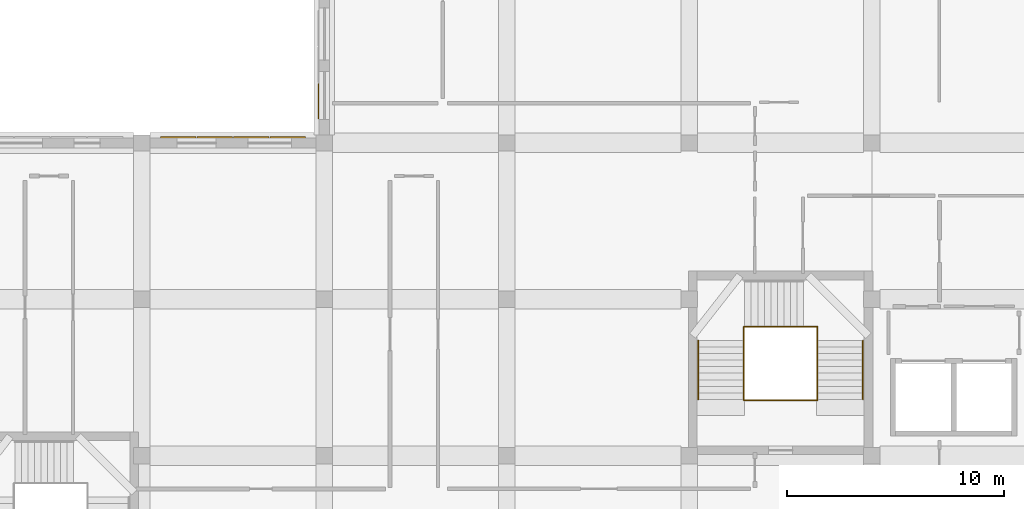
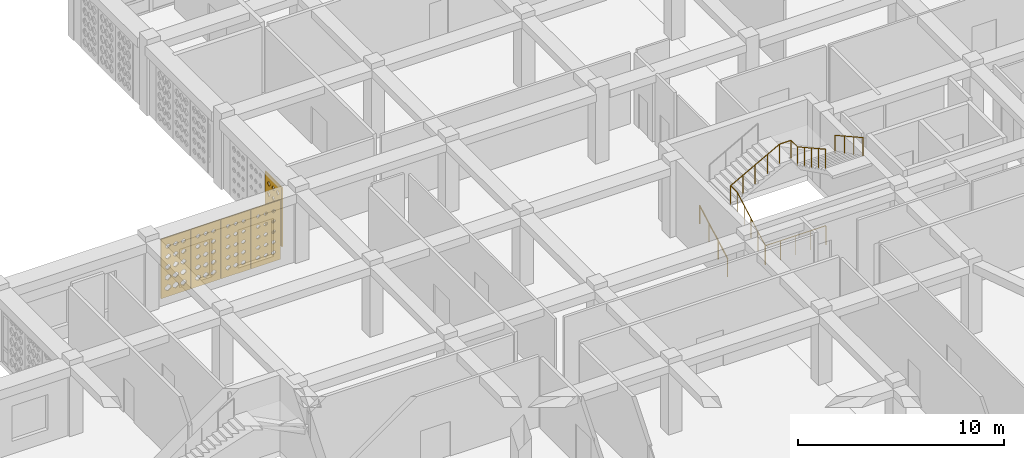
# One storey, part 106 of 121: 6 railings, 5 coverings.
"""IFC4 building model written with IfcOpenShell, lengths in metres."""

from ifc_helpers import new_model, si_unit, derived_unit, direction, frame, origin, origin_2d, place, context, subcontext, project, spatial, polyline, circle, outline, extrude, material, layer, layer_set, type_object, element, save


model = new_model("IFC4")

# Units and contexts
model_context = context("Model", 3, precision=1e-05, world=origin(), true_north=direction((0.0, 1.0)))
body_context = subcontext(model_context, "Body", "Model", "MODEL_VIEW")
ifc_project = project(units=[si_unit("LENGTHUNIT", "METRE"), si_unit("AREAUNIT", "SQUARE_METRE"), si_unit("VOLUMEUNIT", "CUBIC_METRE"), si_unit("PLANEANGLEUNIT", "RADIAN"), si_unit("MASSUNIT", "GRAM", prefix="KILO"), derived_unit("THERMALTRANSMITTANCEUNIT", [(si_unit("POWERUNIT", "WATT"), 1), (si_unit("LENGTHUNIT", "METRE"), -2), (si_unit("THERMODYNAMICTEMPERATUREUNIT", "KELVIN"), -1)])], contexts=[model_context])

# Site, building, storey
site_placement = place(None, origin())
site = spatial("IfcSite", under=ifc_project, at=site_placement, CompositionType="ELEMENT")
building_placement = place(site_placement, origin())
building = spatial("IfcBuilding", under=site, at=building_placement, Name="Veybourne Emporium", CompositionType="ELEMENT")
storey_placement = place(building_placement, frame((0.0, 0.0, 5.39990234375)))
storey = spatial("IfcBuildingStorey", under=building, at=storey_placement, Name="L01", CompositionType="ELEMENT", Elevation=5.39990234375)

# Railings
ifc_material_1 = material(Name="Brushed Stainless Steel", Category="steel")
railing_type_1 = type_object("IfcRailingType", Name="Guard_GR-01", PredefinedType="GUARDRAIL", material=ifc_material_1)
railing_1_placement = place(storey_placement, frame((52.909912109375, 74.60009765625, 0.0)))
element("IfcRailing", 1, at=railing_1_placement, inside=storey, type_object=railing_type_1, Name="L01 ST-03 stair guard 1", PredefinedType="GUARDRAIL", context=body_context, shape_type="SweptSolid", body=[
    extrude(circle(Radius=0.02392578125, at=origin_2d()), frame((0.0, 0.0, 1.1259765625), z_axis=(0.0, 0.87415354758, 0.485649642493), x_axis=(-1.0, 0.0, 0.0)), (0.0, 0.0, 1.0), 3.088623046875),
    extrude(circle(Radius=0.02392578125, at=origin_2d()), frame((0.0, 2.699951171875, 2.6259765625), z_axis=(0.0, 1.0, 0.0), x_axis=(-1.0, 0.0, 0.0)), (0.0, 0.0, 1.0), 0.639892578125),
    extrude(circle(Radius=0.02099609375, at=origin_2d()), origin(), (0.0, 0.0, 1.0), 1.101806640625),
    extrude(circle(Radius=0.02099609375, at=origin_2d()), frame((0.0, 0.675048828125, 0.375)), (0.0, 0.0, 1.0), 1.101806640625),
    extrude(circle(Radius=0.02099609375, at=origin_2d()), frame((0.0, 1.35009765625, 0.75)), (0.0, 0.0, 1.0), 1.101806640625),
    extrude(circle(Radius=0.02099609375, at=origin_2d()), frame((0.0, 2.02490234375, 1.125)), (0.0, 0.0, 1.0), 1.101806640625),
    extrude(circle(Radius=0.02099609375, at=origin_2d()), frame((0.0, 2.699951171875, 1.5)), (0.0, 0.0, 1.0), 1.101806640625),
    extrude(circle(Radius=0.02099609375, at=origin_2d()), frame((0.0, 3.33984375, 1.5)), (0.0, 0.0, 1.0), 1.101806640625),
])
railing_2_placement = place(storey_placement, frame((52.909912109375, 77.93994140625, 1.5)))
element("IfcRailing", 2, at=railing_2_placement, inside=storey, type_object=railing_type_1, Name="L01 ST-03 stair guard 2", PredefinedType="GUARDRAIL", context=body_context, shape_type="SweptSolid", body=[
    extrude(circle(Radius=0.02392578125, at=origin_2d()), frame((0.0, 0.0, 1.1259765625), z_axis=(0.87715976088, 0.0, 0.480198660861), x_axis=(0.0, 1.0, 0.0)), (0.0, 0.0, 1.0), 3.123779296875),
    extrude(circle(Radius=0.02392578125, at=origin_2d()), frame((2.739990234375, 0.0, 2.6259765625), z_axis=(1.0, 0.0, 0.0), x_axis=(0.0, 1.0, 0.0)), (0.0, 0.0, 1.0), 0.64013671875),
    extrude(circle(Radius=0.02099609375, at=origin_2d()), origin(), (0.0, 0.0, 1.0), 1.101806640625),
    extrude(circle(Radius=0.02099609375, at=origin_2d()), frame((0.68505859375, 0.0, 0.375)), (0.0, 0.0, 1.0), 1.101806640625),
    extrude(circle(Radius=0.02099609375, at=origin_2d()), frame((1.3701171875, 0.0, 0.75)), (0.0, 0.0, 1.0), 1.101806640625),
    extrude(circle(Radius=0.02099609375, at=origin_2d()), frame((2.054931640625, 0.0, 1.125)), (0.0, 0.0, 1.0), 1.101806640625),
    extrude(circle(Radius=0.02099609375, at=origin_2d()), frame((2.739990234375, 0.0, 1.5)), (0.0, 0.0, 1.0), 1.101806640625),
    extrude(circle(Radius=0.02099609375, at=origin_2d()), frame((3.380126953125, 0.0, 1.5)), (0.0, 0.0, 1.0), 1.101806640625),
])
railing_3_placement = place(storey_placement, frame((56.2900390625, 77.93994140625, 3.0)))
element("IfcRailing", 3, at=railing_3_placement, inside=storey, type_object=railing_type_1, Name="L01 ST-03 stair guard 3", PredefinedType="GUARDRAIL", context=body_context, shape_type="SweptSolid", body=[
    extrude(circle(Radius=0.02392578125, at=origin_2d()), frame((0.0, 0.0, 1.1259765625), z_axis=(0.0, -1.0, 0.0), x_axis=(1.0, 0.0, 0.0)), (0.0, 0.0, 1.0), 0.639892578125),
    extrude(circle(Radius=0.02392578125, at=origin_2d()), frame((0.0, -0.639892578125, 1.1259765625), z_axis=(0.0, -0.87415354758, 0.485649642493), x_axis=(1.0, 0.0, 0.0)), (0.0, 0.0, 1.0), 3.088623046875),
    extrude(circle(Radius=0.02099609375, at=origin_2d()), origin(), (0.0, 0.0, 1.0), 1.101806640625),
    extrude(circle(Radius=0.02099609375, at=origin_2d()), frame((0.0, -0.639892578125, 0.0)), (0.0, 0.0, 1.0), 1.101806640625),
    extrude(circle(Radius=0.02099609375, at=origin_2d()), frame((0.0, -1.31494140625, 0.375)), (0.0, 0.0, 1.0), 1.101806640625),
    extrude(circle(Radius=0.02099609375, at=origin_2d()), frame((0.0, -1.98974609375, 0.75)), (0.0, 0.0, 1.0), 1.101806640625),
    extrude(circle(Radius=0.02099609375, at=origin_2d()), frame((0.0, -2.664794921875, 1.125)), (0.0, 0.0, 1.0), 1.101806640625),
    extrude(circle(Radius=0.02099609375, at=origin_2d()), frame((0.0, -3.33984375, 1.5)), (0.0, 0.0, 1.0), 1.101806640625),
])
railing_4_placement = place(storey_placement, frame((52.909912109375, 74.56005859375, 0.0)))
element("IfcRailing", 4, at=railing_4_placement, inside=storey, type_object=railing_type_1, Name="L01 ST-03 stair guard 4", PredefinedType="GUARDRAIL", context=body_context, shape_type="SweptSolid", body=[
    extrude(circle(Radius=0.02392578125, at=origin_2d()), frame((0.0, 0.0, 1.1259765625), z_axis=(1.0, 0.0, 0.0), x_axis=(0.0, 1.0, 0.0)), (0.0, 0.0, 1.0), 3.380126953125),
    extrude(circle(Radius=0.02099609375, at=origin_2d()), origin(), (0.0, 0.0, 1.0), 1.101806640625),
    extrude(circle(Radius=0.02099609375, at=origin_2d()), frame((0.844970703125, 0.0, 0.0)), (0.0, 0.0, 1.0), 1.101806640625),
    extrude(circle(Radius=0.02099609375, at=origin_2d()), frame((1.68994140625, 0.0, 0.0)), (0.0, 0.0, 1.0), 1.101806640625),
    extrude(circle(Radius=0.02099609375, at=origin_2d()), frame((2.53515625, 0.0, 0.0)), (0.0, 0.0, 1.0), 1.101806640625),
    extrude(circle(Radius=0.02099609375, at=origin_2d()), frame((3.380126953125, 0.0, 0.0)), (0.0, 0.0, 1.0), 1.101806640625),
])
railing_type_2 = type_object("IfcRailingType", Name="Handrail_HR-01", PredefinedType="HANDRAIL", material=ifc_material_1)
railing_5_placement = place(storey_placement, frame((50.81005859375, 74.60009765625, 0.150146484375)))
element("IfcRailing", 5, at=railing_5_placement, inside=storey, type_object=railing_type_2, Name="L01 ST-03 pitch handrail 1", PredefinedType="HANDRAIL", context=body_context, shape_type="SweptSolid", body=[
    extrude(circle(Radius=0.02392578125, at=origin_2d()), frame((0.0, 0.0, 0.92578125), z_axis=(0.0, 0.87415354758, 0.485649642493), x_axis=(-1.0, 0.0, 0.0)), (0.0, 0.0, 1.0), 3.088623046875),
    extrude(circle(Radius=0.02099609375, at=origin_2d()), frame((0.0, 0.0, -0.14990234375)), (0.0, 0.0, 1.0), 1.0517578125),
    extrude(circle(Radius=0.02099609375, at=origin_2d()), frame((0.0, 0.89990234375, 0.35009765625)), (0.0, 0.0, 1.0), 1.0517578125),
    extrude(circle(Radius=0.02099609375, at=origin_2d()), frame((0.0, 1.800048828125, 0.85009765625)), (0.0, 0.0, 1.0), 1.0517578125),
    extrude(circle(Radius=0.02099609375, at=origin_2d()), frame((0.0, 2.699951171875, 1.35009765625)), (0.0, 0.0, 1.0), 1.0517578125),
])
railing_6_placement = place(storey_placement, frame((58.389892578125, 77.300048828125, 3.150146484375)))
element("IfcRailing", 6, at=railing_6_placement, inside=storey, type_object=railing_type_2, Name="L01 ST-03 pitch handrail 3", PredefinedType="HANDRAIL", context=body_context, shape_type="SweptSolid", body=[
    extrude(circle(Radius=0.02392578125, at=origin_2d()), frame((0.0, 0.0, 0.92578125), z_axis=(0.0, -0.87415354758, 0.485649642493), x_axis=(1.0, 0.0, 0.0)), (0.0, 0.0, 1.0), 3.088623046875),
    extrude(circle(Radius=0.02099609375, at=origin_2d()), frame((0.0, 0.0, -0.14990234375)), (0.0, 0.0, 1.0), 1.0517578125),
    extrude(circle(Radius=0.02099609375, at=origin_2d()), frame((0.0, -0.89990234375, 0.35009765625)), (0.0, 0.0, 1.0), 1.0517578125),
    extrude(circle(Radius=0.02099609375, at=origin_2d()), frame((0.0, -1.800048828125, 0.85009765625)), (0.0, 0.0, 1.0), 1.0517578125),
    extrude(circle(Radius=0.02099609375, at=origin_2d()), frame((0.0, -2.699951171875, 1.35009765625)), (0.0, 0.0, 1.0), 1.0517578125),
])

# Coverings
ifc_material_2 = material(Name="Warm-White Perforated Aluminium Screen Alloy", Category="aluminium")
ifc_layer_1 = layer(ifc_material_2, 0.06005859375)
ifc_layer_set_1 = layer_set([ifc_layer_1], Name="Warm-White Perforated Aluminium Screen Alloy")
covering_type_1 = type_object("IfcCoveringType", Name="WaveScreen_SCR-01", PredefinedType="CLADDING", material=ifc_layer_set_1)
covering_1_placement = place(storey_placement, frame((30.239990234375, 86.697998046875, 1.815185546875), z_axis=(0.0, -1.0, 0.0), x_axis=(1.0, 0.0, 0.0)))
element("IfcCovering", 7, at=covering_1_placement, inside=storey, type_object=covering_type_1, Name="L01 wave-perforated aluminium screen SCR-01 (20.3)", PredefinedType="CLADDING", context=body_context, shape_type="SweptSolid", body=[
    extrude(outline(polyline([(-0.81982421875, -1.7548828125), (0.81982421875, -1.7548828125), (0.81982421875, 1.7548828125), (-0.81982421875, 1.7548828125), (-0.81982421875, -1.7548828125)]), holes=[polyline([(-0.433349609375, -1.08544921875), (-0.306640625, -1.1767578125), (-0.306640625, -1.279296875), (-0.433349609375, -1.37060546875), (-0.559814453125, -1.279296875), (-0.559814453125, -1.1767578125), (-0.433349609375, -1.08544921875)]), polyline([(-0.433349609375, -0.48193359375), (-0.315185546875, -0.56640625), (-0.315185546875, -0.66162109375), (-0.433349609375, -0.74609375), (-0.551513671875, -0.66162109375), (-0.551513671875, -0.56640625), (-0.433349609375, -0.48193359375)]), polyline([(-0.433349609375, 0.123291015625), (-0.322509765625, 0.04443359375), (-0.322509765625, -0.04443359375), (-0.433349609375, -0.123291015625), (-0.544189453125, -0.04443359375), (-0.544189453125, 0.04443359375), (-0.433349609375, 0.123291015625)]), polyline([(-0.433349609375, 0.730712890625), (-0.327880859375, 0.656005859375), (-0.327880859375, 0.572021484375), (-0.433349609375, 0.497314453125), (-0.538818359375, 0.572021484375), (-0.538818359375, 0.656005859375), (-0.433349609375, 0.730712890625)]), polyline([(-0.433349609375, 1.340087890625), (-0.33154296875, 1.268310546875), (-0.33154296875, 1.1875), (-0.433349609375, 1.11572265625), (-0.53515625, 1.1875), (-0.53515625, 1.268310546875), (-0.433349609375, 1.340087890625)]), polyline([(0.0, -1.09033203125), (0.12255859375, -1.178466796875), (0.12255859375, -1.277587890625), (0.0, -1.365478515625), (-0.12255859375, -1.277587890625), (-0.12255859375, -1.178466796875), (0.0, -1.09033203125)]), polyline([(0.0, -0.486083984375), (0.114501953125, -0.568115234375), (0.114501953125, -0.659912109375), (0.0, -0.74169921875), (-0.114501953125, -0.659912109375), (-0.114501953125, -0.568115234375), (0.0, -0.486083984375)]), polyline([(0.0, 0.1201171875), (0.108154296875, 0.043212890625), (0.108154296875, -0.043212890625), (0.0, -0.1201171875), (-0.108154296875, -0.043212890625), (-0.108154296875, 0.043212890625), (0.0, 0.1201171875)]), polyline([(0.0, 0.728515625), (0.103515625, 0.6552734375), (0.103515625, 0.57275390625), (0.0, 0.49951171875), (-0.103515625, 0.57275390625), (-0.103515625, 0.6552734375), (0.0, 0.728515625)]), polyline([(0.0, 1.339111328125), (0.100830078125, 1.26806640625), (0.100830078125, 1.18798828125), (0.0, 1.116943359375), (-0.100830078125, 1.18798828125), (-0.100830078125, 1.26806640625), (0.0, 1.339111328125)]), polyline([(0.433349609375, -1.09521484375), (0.552001953125, -1.18017578125), (0.552001953125, -1.27587890625), (0.433349609375, -1.36083984375), (0.314697265625, -1.27587890625), (0.314697265625, -1.18017578125), (0.433349609375, -1.09521484375)]), polyline([(0.433349609375, -0.489990234375), (0.544921875, -0.5693359375), (0.544921875, -0.65869140625), (0.433349609375, -0.738037109375), (0.32177734375, -0.65869140625), (0.32177734375, -0.5693359375), (0.433349609375, -0.489990234375)]), polyline([(0.433349609375, 0.1171875), (0.539306640625, 0.042236328125), (0.539306640625, -0.042236328125), (0.433349609375, -0.1171875), (0.327392578125, -0.042236328125), (0.327392578125, 0.042236328125), (0.433349609375, 0.1171875)]), polyline([(0.433349609375, 0.7265625), (0.535400390625, 0.654541015625), (0.535400390625, 0.573486328125), (0.433349609375, 0.50146484375), (0.331298828125, 0.573486328125), (0.331298828125, 0.654541015625), (0.433349609375, 0.7265625)]), polyline([(0.433349609375, 1.338134765625), (0.533447265625, 1.267578125), (0.533447265625, 1.188232421875), (0.433349609375, 1.117919921875), (0.3330078125, 1.188232421875), (0.3330078125, 1.267578125), (0.433349609375, 1.338134765625)])]), origin(), (0.0, 0.0, 1.0), 0.06005859375),
])
covering_2_placement = place(storey_placement, frame((33.302001953125, 88.320068359375, 1.815185546875), z_axis=(1.0, 0.0, 0.0), x_axis=(0.0, 1.0, 0.0)))
element("IfcCovering", 8, at=covering_2_placement, inside=storey, type_object=covering_type_1, Name="L01 wave-perforated aluminium screen SCR-01 (22.1)", PredefinedType="CLADDING", context=body_context, shape_type="SweptSolid", body=[
    extrude(outline(polyline([(-0.81982421875, -1.7548828125), (0.81982421875, -1.7548828125), (0.81982421875, 1.7548828125), (-0.81982421875, 1.7548828125), (-0.81982421875, -1.7548828125)]), holes=[polyline([(-0.433349609375, -1.117919921875), (-0.333251953125, -1.188232421875), (-0.333251953125, -1.267578125), (-0.433349609375, -1.338134765625), (-0.533447265625, -1.267578125), (-0.533447265625, -1.188232421875), (-0.433349609375, -1.117919921875)]), polyline([(-0.433349609375, -0.50341796875), (-0.3330078125, -0.57421875), (-0.3330078125, -0.65380859375), (-0.433349609375, -0.724609375), (-0.53369140625, -0.65380859375), (-0.53369140625, -0.57421875), (-0.433349609375, -0.50341796875)]), polyline([(-0.433349609375, 0.11328125), (-0.330810546875, 0.040771484375), (-0.330810546875, -0.040771484375), (-0.433349609375, -0.11328125), (-0.535888671875, -0.040771484375), (-0.535888671875, 0.040771484375), (-0.433349609375, 0.11328125)]), polyline([(-0.433349609375, 0.732177734375), (-0.32666015625, 0.656494140625), (-0.32666015625, 0.5712890625), (-0.433349609375, 0.495849609375), (-0.5400390625, 0.5712890625), (-0.5400390625, 0.656494140625), (-0.433349609375, 0.732177734375)]), polyline([(-0.433349609375, 1.353515625), (-0.32080078125, 1.273193359375), (-0.32080078125, 1.182861328125), (-0.433349609375, 1.1025390625), (-0.5458984375, 1.182861328125), (-0.5458984375, 1.273193359375), (-0.433349609375, 1.353515625)]), polyline([(0.0, -1.117919921875), (0.10009765625, -1.1884765625), (0.10009765625, -1.267578125), (0.0, -1.337890625), (-0.10009765625, -1.267578125), (-0.10009765625, -1.1884765625), (0.0, -1.117919921875)]), polyline([(0.0, -0.502685546875), (0.10107421875, -0.573974609375), (0.10107421875, -0.654052734375), (0.0, -0.725341796875), (-0.10107421875, -0.654052734375), (-0.10107421875, -0.573974609375), (0.0, -0.502685546875)]), polyline([(0.0, 0.115234375), (0.104248046875, 0.04150390625), (0.104248046875, -0.04150390625), (0.0, -0.115234375), (-0.104248046875, -0.04150390625), (-0.104248046875, 0.04150390625), (0.0, 0.115234375)]), polyline([(0.0, 0.735107421875), (0.109130859375, 0.65771484375), (0.109130859375, 0.5703125), (0.0, 0.492919921875), (-0.109130859375, 0.5703125), (-0.109130859375, 0.65771484375), (0.0, 0.735107421875)]), polyline([(0.0, 1.357421875), (0.11572265625, 1.274658203125), (0.11572265625, 1.181396484375), (0.0, 1.0986328125), (-0.11572265625, 1.181396484375), (-0.11572265625, 1.274658203125), (0.0, 1.357421875)]), polyline([(0.433349609375, -1.11767578125), (0.53369140625, -1.188232421875), (0.53369140625, -1.267578125), (0.433349609375, -1.33837890625), (0.3330078125, -1.267578125), (0.3330078125, -1.188232421875), (0.433349609375, -1.11767578125)]), polyline([(0.433349609375, -0.501220703125), (0.53564453125, -0.573486328125), (0.53564453125, -0.654541015625), (0.433349609375, -0.726806640625), (0.3310546875, -0.654541015625), (0.3310546875, -0.573486328125), (0.433349609375, -0.501220703125)]), polyline([(0.433349609375, 0.11767578125), (0.53955078125, 0.042236328125), (0.53955078125, -0.042236328125), (0.433349609375, -0.11767578125), (0.3271484375, -0.042236328125), (0.3271484375, 0.042236328125), (0.433349609375, 0.11767578125)]), polyline([(0.433349609375, 0.73876953125), (0.54541015625, 0.658935546875), (0.54541015625, 0.569091796875), (0.433349609375, 0.4892578125), (0.3212890625, 0.569091796875), (0.3212890625, 0.658935546875), (0.433349609375, 0.73876953125)]), polyline([(0.433349609375, 1.36181640625), (0.552734375, 1.276123046875), (0.552734375, 1.179931640625), (0.433349609375, 1.09423828125), (0.31396484375, 1.179931640625), (0.31396484375, 1.276123046875), (0.433349609375, 1.36181640625)])]), origin(), (0.0, 0.0, 1.0), 0.06005859375),
])
ifc_layer_2 = layer(ifc_material_2, 0.06005859375)
ifc_layer_set_2 = layer_set([ifc_layer_2], Name="Warm-White Perforated Aluminium Screen Alloy")
covering_type_2 = type_object("IfcCoveringType", Name="WaveScreen_SCR-02", PredefinedType="CLADDING", material=ifc_layer_set_2)
covering_3_placement = place(storey_placement, frame((31.919921875, 86.697998046875, 1.815185546875), z_axis=(0.0, -1.0, 0.0), x_axis=(1.0, 0.0, 0.0)))
element("IfcCovering", 9, at=covering_3_placement, inside=storey, type_object=covering_type_2, Name="L01 wave-perforated aluminium screen SCR-02 (20.4)", PredefinedType="CLADDING", context=body_context, shape_type="SweptSolid", body=[
    extrude(outline(polyline([(-0.81982421875, -1.7548828125), (0.81982421875, -1.7548828125), (0.81982421875, 1.7548828125), (-0.81982421875, 1.7548828125), (-0.81982421875, -1.7548828125)]), holes=[polyline([(-0.433349609375, -1.102783203125), (-0.32080078125, -1.182861328125), (-0.32080078125, -1.273193359375), (-0.433349609375, -1.353271484375), (-0.5458984375, -1.273193359375), (-0.5458984375, -1.182861328125), (-0.433349609375, -1.102783203125)]), polyline([(-0.433349609375, -0.495849609375), (-0.32666015625, -0.571533203125), (-0.32666015625, -0.656494140625), (-0.433349609375, -0.732177734375), (-0.539794921875, -0.656494140625), (-0.539794921875, -0.571533203125), (-0.433349609375, -0.495849609375)]), polyline([(-0.433349609375, 0.113037109375), (-0.330810546875, 0.040771484375), (-0.330810546875, -0.040771484375), (-0.433349609375, -0.113037109375), (-0.535888671875, -0.040771484375), (-0.535888671875, 0.040771484375), (-0.433349609375, 0.113037109375)]), polyline([(-0.433349609375, 0.724365234375), (-0.3330078125, 0.65380859375), (-0.3330078125, 0.57421875), (-0.433349609375, 0.503662109375), (-0.53369140625, 0.57421875), (-0.53369140625, 0.65380859375), (-0.433349609375, 0.724365234375)]), polyline([(-0.433349609375, 1.338134765625), (-0.333251953125, 1.267578125), (-0.333251953125, 1.188232421875), (-0.433349609375, 1.117919921875), (-0.533447265625, 1.188232421875), (-0.533447265625, 1.267578125), (-0.433349609375, 1.338134765625)]), polyline([(0.0, -1.106201171875), (0.109619140625, -1.18408203125), (0.109619140625, -1.271728515625), (0.0, -1.349609375), (-0.109619140625, -1.271728515625), (-0.109619140625, -1.18408203125), (0.0, -1.106201171875)]), polyline([(0.0, -0.49853515625), (0.1044921875, -0.572509765625), (0.1044921875, -0.655517578125), (0.0, -0.7294921875), (-0.1044921875, -0.655517578125), (-0.1044921875, -0.572509765625), (0.0, -0.49853515625)]), polyline([(0.0, 0.111572265625), (0.101318359375, 0.040283203125), (0.101318359375, -0.040283203125), (0.0, -0.111572265625), (-0.101318359375, -0.040283203125), (-0.101318359375, 0.040283203125), (0.0, 0.111572265625)]), polyline([(0.0, 0.72412109375), (0.10009765625, 0.653564453125), (0.10009765625, 0.574462890625), (0.0, 0.50390625), (-0.10009765625, 0.574462890625), (-0.10009765625, 0.653564453125), (0.0, 0.72412109375)]), polyline([(0.0, 1.3388671875), (0.1005859375, 1.267822265625), (0.1005859375, 1.18798828125), (0.0, 1.1171875), (-0.1005859375, 1.18798828125), (-0.1005859375, 1.267822265625), (0.0, 1.3388671875)]), polyline([(0.433349609375, -1.109375), (0.540283203125, -1.185302734375), (0.540283203125, -1.270751953125), (0.433349609375, -1.3466796875), (0.326416015625, -1.270751953125), (0.326416015625, -1.185302734375), (0.433349609375, -1.109375)]), polyline([(0.433349609375, -0.50048828125), (0.5361328125, -0.5732421875), (0.5361328125, -0.65478515625), (0.433349609375, -0.727294921875), (0.33056640625, -0.65478515625), (0.33056640625, -0.5732421875), (0.433349609375, -0.50048828125)]), polyline([(0.433349609375, 0.110595703125), (0.53369140625, 0.039794921875), (0.53369140625, -0.039794921875), (0.433349609375, -0.110595703125), (0.3330078125, -0.039794921875), (0.3330078125, 0.039794921875), (0.433349609375, 0.110595703125)]), polyline([(0.433349609375, 0.72412109375), (0.533447265625, 0.653564453125), (0.533447265625, 0.574462890625), (0.433349609375, 0.50390625), (0.333251953125, 0.574462890625), (0.333251953125, 0.653564453125), (0.433349609375, 0.72412109375)]), polyline([(0.433349609375, 1.340087890625), (0.534912109375, 1.268310546875), (0.534912109375, 1.1875), (0.433349609375, 1.115966796875), (0.33154296875, 1.1875), (0.33154296875, 1.268310546875), (0.433349609375, 1.340087890625)])]), origin(), (0.0, 0.0, 1.0), 0.06005859375),
])
ifc_layer_3 = layer(ifc_material_2, 0.06005859375)
ifc_layer_set_3 = layer_set([ifc_layer_3], Name="Warm-White Perforated Aluminium Screen Alloy")
covering_type_3 = type_object("IfcCoveringType", Name="WaveScreen_SCR-03", PredefinedType="CLADDING", material=ifc_layer_set_3)
covering_4_placement = place(storey_placement, frame((26.8798828125, 86.697998046875, 1.815185546875), z_axis=(0.0, -1.0, 0.0), x_axis=(1.0, 0.0, 0.0)))
element("IfcCovering", 10, at=covering_4_placement, inside=storey, type_object=covering_type_3, Name="L01 wave-perforated aluminium screen SCR-03 (20.1)", PredefinedType="CLADDING", context=body_context, shape_type="SweptSolid", body=[
    extrude(outline(polyline([(-0.81982421875, -1.7548828125), (0.81982421875, -1.7548828125), (0.81982421875, 1.7548828125), (-0.81982421875, 1.7548828125), (-0.81982421875, -1.7548828125)]), holes=[polyline([(-0.433349609375, -1.039306640625), (-0.268798828125, -1.16015625), (-0.268798828125, -1.2958984375), (-0.433349609375, -1.416748046875), (-0.59765625, -1.2958984375), (-0.59765625, -1.16015625), (-0.433349609375, -1.039306640625)]), polyline([(-0.433349609375, -0.439208984375), (-0.280517578125, -0.551025390625), (-0.280517578125, -0.677001953125), (-0.433349609375, -0.788818359375), (-0.586181640625, -0.677001953125), (-0.586181640625, -0.551025390625), (-0.433349609375, -0.439208984375)]), polyline([(-0.433349609375, 0.1611328125), (-0.29150390625, 0.05810546875), (-0.29150390625, -0.05810546875), (-0.433349609375, -0.1611328125), (-0.5751953125, -0.05810546875), (-0.5751953125, 0.05810546875), (-0.433349609375, 0.1611328125)]), polyline([(-0.433349609375, 0.7626953125), (-0.3017578125, 0.66748046875), (-0.3017578125, 0.560546875), (-0.433349609375, 0.46533203125), (-0.56494140625, 0.560546875), (-0.56494140625, 0.66748046875), (-0.433349609375, 0.7626953125)]), polyline([(-0.433349609375, 1.365234375), (-0.31103515625, 1.27734375), (-0.31103515625, 1.1787109375), (-0.433349609375, 1.0908203125), (-0.5556640625, 1.1787109375), (-0.5556640625, 1.27734375), (-0.433349609375, 1.365234375)]), polyline([(0.0, -1.045654296875), (0.1591796875, -1.162353515625), (0.1591796875, -1.293701171875), (0.0, -1.410400390625), (-0.1591796875, -1.293701171875), (-0.1591796875, -1.162353515625), (0.0, -1.045654296875)]), polyline([(0.0, -0.445556640625), (0.147705078125, -0.553466796875), (0.147705078125, -0.674560546875), (0.0, -0.782470703125), (-0.147705078125, -0.674560546875), (-0.147705078125, -0.553466796875), (0.0, -0.445556640625)]), polyline([(0.0, 0.1552734375), (0.13720703125, 0.055908203125), (0.13720703125, -0.055908203125), (0.0, -0.1552734375), (-0.13720703125, -0.055908203125), (-0.13720703125, 0.055908203125), (0.0, 0.1552734375)]), polyline([(0.0, 0.75732421875), (0.127197265625, 0.66552734375), (0.127197265625, 0.5625), (0.0, 0.470703125), (-0.127197265625, 0.5625), (-0.127197265625, 0.66552734375), (0.0, 0.75732421875)]), polyline([(0.0, 1.360595703125), (0.118408203125, 1.27587890625), (0.118408203125, 1.18017578125), (0.0, 1.09521484375), (-0.118408203125, 1.18017578125), (-0.118408203125, 1.27587890625), (0.0, 1.360595703125)]), polyline([(0.433349609375, -1.052001953125), (0.58740234375, -1.164794921875), (0.58740234375, -1.291259765625), (0.433349609375, -1.404052734375), (0.279296875, -1.291259765625), (0.279296875, -1.164794921875), (0.433349609375, -1.052001953125)]), polyline([(0.433349609375, -0.45166015625), (0.576171875, -0.555419921875), (0.576171875, -0.672607421875), (0.433349609375, -0.7763671875), (0.29052734375, -0.672607421875), (0.29052734375, -0.555419921875), (0.433349609375, -0.45166015625)]), polyline([(0.433349609375, 0.149658203125), (0.56591796875, 0.053955078125), (0.56591796875, -0.053955078125), (0.433349609375, -0.149658203125), (0.30078125, -0.053955078125), (0.30078125, 0.053955078125), (0.433349609375, 0.149658203125)]), polyline([(0.433349609375, 0.752197265625), (0.556396484375, 0.663818359375), (0.556396484375, 0.564208984375), (0.433349609375, 0.475830078125), (0.310302734375, 0.564208984375), (0.310302734375, 0.663818359375), (0.433349609375, 0.752197265625)]), polyline([(0.433349609375, 1.3564453125), (0.54833984375, 1.274169921875), (0.54833984375, 1.181884765625), (0.433349609375, 1.099609375), (0.318359375, 1.181884765625), (0.318359375, 1.274169921875), (0.433349609375, 1.3564453125)])]), origin(), (0.0, 0.0, 1.0), 0.06005859375),
])
ifc_layer_4 = layer(ifc_material_2, 0.06005859375)
ifc_layer_set_4 = layer_set([ifc_layer_4], Name="Warm-White Perforated Aluminium Screen Alloy")
covering_type_4 = type_object("IfcCoveringType", Name="WaveScreen_SCR-04", PredefinedType="CLADDING", material=ifc_layer_set_4)
covering_5_placement = place(storey_placement, frame((28.56005859375, 86.697998046875, 1.815185546875), z_axis=(0.0, -1.0, 0.0), x_axis=(1.0, 0.0, 0.0)))
element("IfcCovering", 11, at=covering_5_placement, inside=storey, type_object=covering_type_4, Name="L01 wave-perforated aluminium screen SCR-04 (20.2)", PredefinedType="CLADDING", context=body_context, shape_type="SweptSolid", body=[
    extrude(outline(polyline([(-0.81982421875, -1.7548828125), (0.81982421875, -1.7548828125), (0.81982421875, 1.7548828125), (-0.81982421875, 1.7548828125), (-0.81982421875, -1.7548828125)]), holes=[polyline([(-0.433349609375, -1.063720703125), (-0.288818359375, -1.168701171875), (-0.288818359375, -1.287109375), (-0.433349609375, -1.392333984375), (-0.577880859375, -1.287109375), (-0.577880859375, -1.168701171875), (-0.433349609375, -1.063720703125)]), polyline([(-0.433349609375, -0.46240234375), (-0.29931640625, -0.5595703125), (-0.29931640625, -0.66845703125), (-0.433349609375, -0.765380859375), (-0.5673828125, -0.66845703125), (-0.5673828125, -0.5595703125), (-0.433349609375, -0.46240234375)]), polyline([(-0.433349609375, 0.139892578125), (-0.308837890625, 0.05029296875), (-0.308837890625, -0.05029296875), (-0.433349609375, -0.139892578125), (-0.557861328125, -0.05029296875), (-0.557861328125, 0.05029296875), (-0.433349609375, 0.139892578125)]), polyline([(-0.433349609375, 0.743896484375), (-0.317138671875, 0.66064453125), (-0.317138671875, 0.5673828125), (-0.433349609375, 0.484130859375), (-0.549560546875, 0.5673828125), (-0.549560546875, 0.66064453125), (-0.433349609375, 0.743896484375)]), polyline([(-0.433349609375, 1.349609375), (-0.323974609375, 1.271728515625), (-0.323974609375, 1.184326171875), (-0.433349609375, 1.1064453125), (-0.542724609375, 1.184326171875), (-0.542724609375, 1.271728515625), (-0.433349609375, 1.349609375)]), polyline([(0.0, -1.069580078125), (0.1396484375, -1.1708984375), (0.1396484375, -1.284912109375), (0.0, -1.386474609375), (-0.1396484375, -1.284912109375), (-0.1396484375, -1.1708984375), (0.0, -1.069580078125)]), polyline([(0.0, -0.468017578125), (0.12939453125, -0.561279296875), (0.12939453125, -0.66650390625), (0.0, -0.760009765625), (-0.12939453125, -0.66650390625), (-0.12939453125, -0.561279296875), (0.0, -0.468017578125)]), polyline([(0.0, 0.135009765625), (0.12060546875, 0.048583984375), (0.12060546875, -0.048583984375), (0.0, -0.135009765625), (-0.12060546875, -0.048583984375), (-0.12060546875, 0.048583984375), (0.0, 0.135009765625)]), polyline([(0.0, 0.73974609375), (0.11279296875, 0.6591796875), (0.11279296875, 0.568603515625), (0.0, 0.48828125), (-0.11279296875, 0.568603515625), (-0.11279296875, 0.6591796875), (0.0, 0.73974609375)]), polyline([(0.0, 1.346435546875), (0.10693359375, 1.2705078125), (0.10693359375, 1.185302734375), (0.0, 1.109619140625), (-0.10693359375, 1.185302734375), (-0.10693359375, 1.2705078125), (0.0, 1.346435546875)]), polyline([(0.433349609375, -1.075439453125), (0.568115234375, -1.173095703125), (0.568115234375, -1.282958984375), (0.433349609375, -1.380615234375), (0.29833984375, -1.282958984375), (0.29833984375, -1.173095703125), (0.433349609375, -1.075439453125)]), polyline([(0.433349609375, -0.47314453125), (0.55859375, -0.563232421875), (0.55859375, -0.664794921875), (0.433349609375, -0.7548828125), (0.30810546875, -0.664794921875), (0.30810546875, -0.563232421875), (0.433349609375, -0.47314453125)]), polyline([(0.433349609375, 0.130615234375), (0.55029296875, 0.047119140625), (0.55029296875, -0.047119140625), (0.433349609375, -0.130615234375), (0.31640625, -0.047119140625), (0.31640625, 0.047119140625), (0.433349609375, 0.130615234375)]), polyline([(0.433349609375, 0.736083984375), (0.543212890625, 0.657958984375), (0.543212890625, 0.570068359375), (0.433349609375, 0.49169921875), (0.323486328125, 0.570068359375), (0.323486328125, 0.657958984375), (0.433349609375, 0.736083984375)]), polyline([(0.433349609375, 1.343994140625), (0.5380859375, 1.269775390625), (0.5380859375, 1.186279296875), (0.433349609375, 1.112060546875), (0.32861328125, 1.186279296875), (0.32861328125, 1.269775390625), (0.433349609375, 1.343994140625)])]), origin(), (0.0, 0.0, 1.0), 0.06005859375),
])

save(model, "model.ifc")
